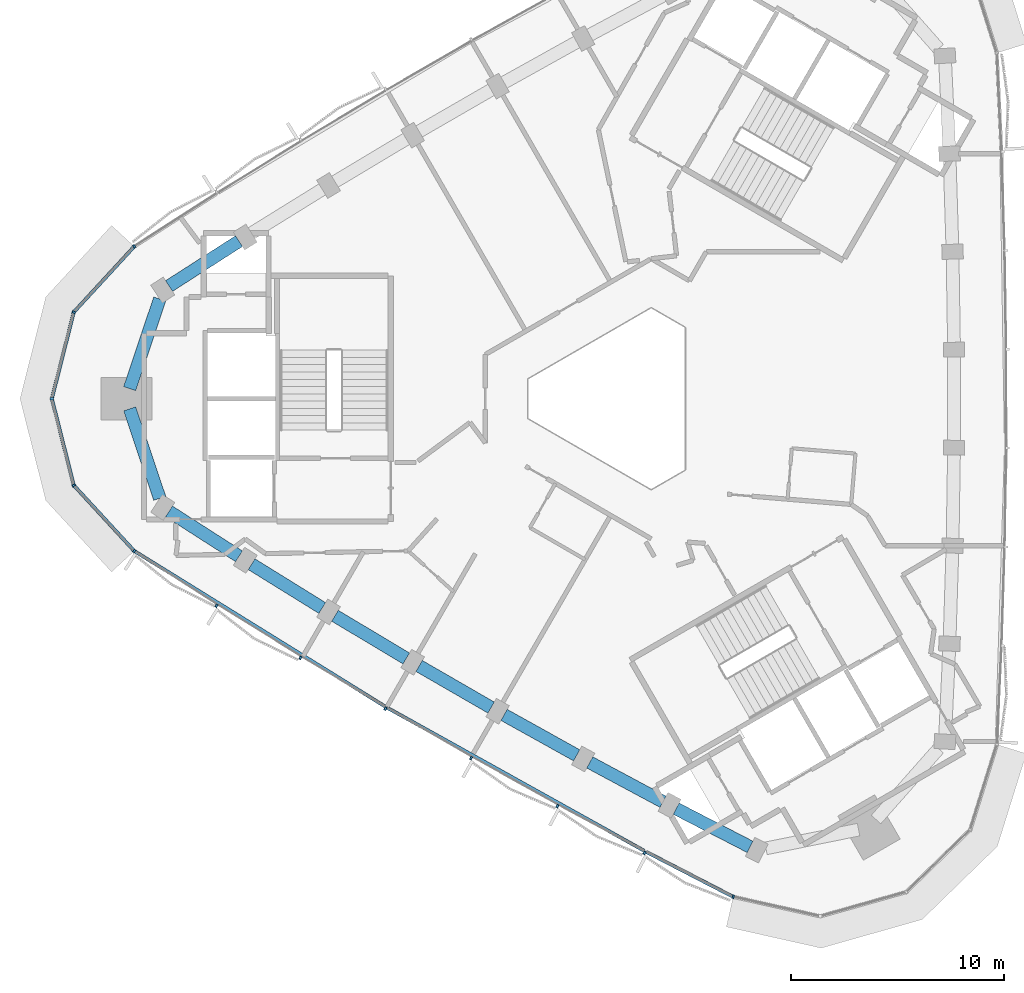
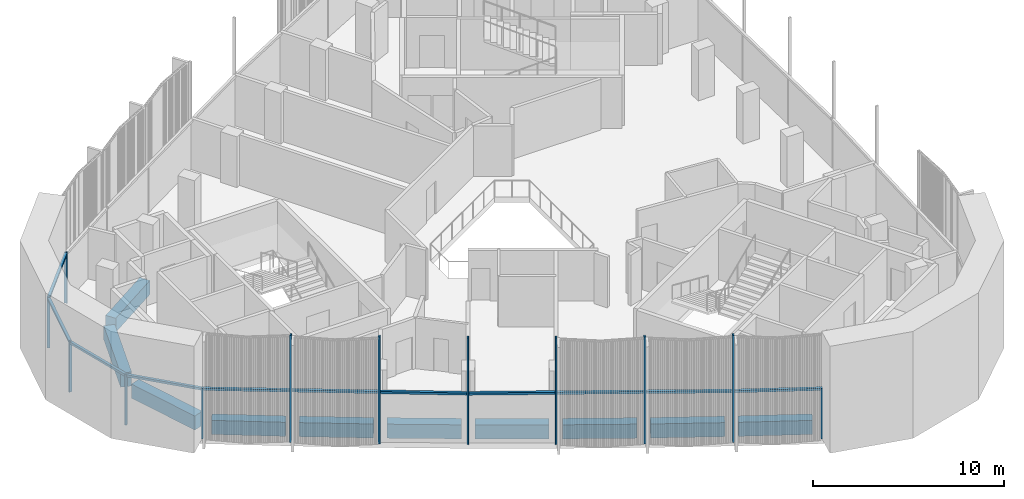
# One storey, part 2 of 12: 19 members, 10 beams, 2 elements without a shape of their own.
"""IFC4 building model written with IfcOpenShell, lengths in metres."""

from ifc_helpers import new_model, si_unit, direction, frame, origin, origin_2d, place, context, subcontext, project, spatial, rectangle, extrude, material, material_profile, profile_set, type_object, element, aggregate, save


model = new_model("IFC4")

# Units and contexts
model_context = context("Model", 3, precision=1e-05, world=origin(), true_north=direction((0.0, 1.0)))
body_context = subcontext(model_context, "Body", "Model", "MODEL_VIEW")
ifc_project = project(units=[si_unit("LENGTHUNIT", "METRE"), si_unit("AREAUNIT", "SQUARE_METRE"), si_unit("VOLUMEUNIT", "CUBIC_METRE"), si_unit("PLANEANGLEUNIT", "RADIAN"), si_unit("MASSUNIT", "GRAM", prefix="KILO")], contexts=[model_context])

# Site, building, storey
site_placement = place(None, origin())
site = spatial("IfcSite", under=ifc_project, at=site_placement, CompositionType="ELEMENT")
building_placement = place(site_placement, origin())
building = spatial("IfcBuilding", under=site, at=building_placement, Name="Tamra Quay Hotel Tower", CompositionType="ELEMENT")
storey_placement = place(building_placement, frame((0.0, 0.0, 273.0)))
storey = spatial("IfcBuildingStorey", under=building, at=storey_placement, Name="L69", CompositionType="ELEMENT", Elevation=273.0)

# Curtain wall, members
ifc_material_1 = material(Name="Aluminium 6063 anodised dark grey", Category="aluminium")
curtain_wall_type_1 = type_object("IfcCurtainWallType", Name="CW2 CURTAIN WALL", PredefinedType="NOTDEFINED", material=ifc_material_1)
curtain_wall_1_placement = place(storey_placement, origin())
curtain_wall_1 = element("IfcCurtainWall", 1, at=curtain_wall_1_placement, inside=storey, type_object=curtain_wall_type_1, Name="CW2 north-west face L69", PredefinedType="NOTDEFINED")
ifc_material_profile_1 = material_profile(ifc_material_1, rectangle(XDim=0.159912109375, YDim=0.10009765625, at=origin_2d()), Name="MULLION 100X160")
ifc_profile_set_1 = profile_set([ifc_material_profile_1], Name="Aluminium 6063 anodised dark grey")
member_type_1 = type_object("IfcMemberType", Name="MULLION CW2 Z6", PredefinedType="MULLION", material=ifc_profile_set_1)
member_1_placement = place(storey_placement, frame((-22.898681640625, 7.15869140625, 0.0), z_axis=(0.0, 0.0, 1.0), x_axis=(-0.6430864584, 0.765793579904, 0.0)))
member_1 = element("IfcMember", 2, at=member_1_placement, type_object=member_type_1, Name="CW2 mullion L69.NW.8", PredefinedType="MULLION", context=body_context, shape_type="SweptSolid", body=[
    extrude(rectangle(XDim=0.159912109375, YDim=0.10009765625, at=origin_2d()), origin(), (0.0, 0.0, 1.0), 3.25),
])
member_2_placement = place(storey_placement, frame((-25.742431640625, 4.070068359375, 0.0), z_axis=(0.0, 0.0, 1.0), x_axis=(-0.879433050093, 0.476022594427, 0.0)))
member_2 = element("IfcMember", 3, at=member_2_placement, type_object=member_type_1, Name="CW2 mullion L69.NW.9", PredefinedType="MULLION", context=body_context, shape_type="SweptSolid", body=[
    extrude(rectangle(XDim=0.159912109375, YDim=0.10009765625, at=origin_2d()), origin(), (0.0, 0.0, 1.0), 3.25),
])
member_3_placement = place(storey_placement, frame((-26.7734375, 0.0, 0.0), z_axis=(0.0, 0.0, 1.0), x_axis=(-1.0, 0.0, 0.0)))
member_3 = element("IfcMember", 4, at=member_3_placement, type_object=member_type_1, Name="CW2 mullion L69.NW.10", PredefinedType="MULLION", context=body_context, shape_type="SweptSolid", body=[
    extrude(rectangle(XDim=0.159912109375, YDim=0.10009765625, at=origin_2d()), origin(), (0.0, 0.0, 1.0), 3.25),
])
member_4_placement = place(storey_placement, frame((-25.742431640625, -4.070068359375, 0.0), z_axis=(0.0, 0.0, 1.0), x_axis=(-0.879433050093, -0.476022594427, 0.0)))
member_4 = element("IfcMember", 5, at=member_4_placement, type_object=member_type_1, Name="CW2 mullion L69.NW.11", PredefinedType="MULLION", context=body_context, shape_type="SweptSolid", body=[
    extrude(rectangle(XDim=0.159912109375, YDim=0.10009765625, at=origin_2d()), origin(), (0.0, 0.0, 1.0), 3.25),
])

curtain_wall_type_2 = type_object("IfcCurtainWallType", Name="CW3 CURTAIN WALL", PredefinedType="NOTDEFINED", material=ifc_material_1)
curtain_wall_2_placement = place(storey_placement, origin())
curtain_wall_2 = element("IfcCurtainWall", 6, at=curtain_wall_2_placement, inside=storey, type_object=curtain_wall_type_2, Name="CW3 south-west face L69", PredefinedType="NOTDEFINED")
ifc_material_profile_2 = material_profile(ifc_material_1, rectangle(XDim=0.159912109375, YDim=0.10009765625, at=origin_2d()), Name="MULLION 100X160")
ifc_profile_set_2 = profile_set([ifc_material_profile_2], Name="Aluminium 6063 anodised dark grey")
member_type_2 = type_object("IfcMemberType", Name="MULLION CW3 Z6", PredefinedType="MULLION", material=ifc_profile_set_2)
member_5_placement = place(storey_placement, frame((-22.898681640625, -7.15869140625, 0.0), z_axis=(0.0, 0.0, 1.0), x_axis=(-0.6430864584, -0.765793579904, 0.0)))
member_5 = element("IfcMember", 7, at=member_5_placement, type_object=member_type_2, Name="CW3 mullion L69.SW.1", PredefinedType="MULLION", context=body_context, shape_type="SweptSolid", body=[
    extrude(rectangle(XDim=0.159912109375, YDim=0.10009765625, at=origin_2d()), origin(), (0.0, 0.0, 1.0), 3.25),
])
member_6_placement = place(storey_placement, frame((-19.0302734375, -9.7353515625, 0.0), z_axis=(0.0, 0.0, 1.0), x_axis=(-0.533422257402, -0.845849097244, 0.0)))
member_6 = element("IfcMember", 8, at=member_6_placement, type_object=member_type_2, Name="CW3 mullion L69.SW.2", PredefinedType="MULLION", context=body_context, shape_type="SweptSolid", body=[
    extrude(rectangle(XDim=0.159912109375, YDim=0.10009765625, at=origin_2d()), origin(), (0.0, 0.0, 1.0), 6.85009765625),
])
member_7_placement = place(storey_placement, frame((-15.08203125, -12.1826171875, 0.0), z_axis=(0.0, 0.0, 1.0), x_axis=(-0.520160594546, -0.854068472596, 0.0)))
member_7 = element("IfcMember", 9, at=member_7_placement, type_object=member_type_2, Name="CW3 mullion L69.SW.3", PredefinedType="MULLION", context=body_context, shape_type="SweptSolid", body=[
    extrude(rectangle(XDim=0.159912109375, YDim=0.10009765625, at=origin_2d()), origin(), (0.0, 0.0, 1.0), 6.85009765625),
])
member_8_placement = place(storey_placement, frame((-11.09423828125, -14.56884765625, 0.0), z_axis=(0.0, 0.0, 1.0), x_axis=(-0.506754183405, -0.862090597096, 0.0)))
member_8 = element("IfcMember", 10, at=member_8_placement, type_object=member_type_2, Name="CW3 mullion L69.SW.4", PredefinedType="MULLION", context=body_context, shape_type="SweptSolid", body=[
    extrude(rectangle(XDim=0.159912109375, YDim=0.10009765625, at=origin_2d()), origin(), (0.0, 0.0, 1.0), 6.85009765625),
])
member_9_placement = place(storey_placement, frame((-7.06982421875, -16.892333984375, 0.0), z_axis=(0.0, 0.0, 1.0), x_axis=(-0.493215265746, -0.869907294851, 0.0)))
member_9 = element("IfcMember", 11, at=member_9_placement, type_object=member_type_2, Name="CW3 mullion L69.SW.5", PredefinedType="MULLION", context=body_context, shape_type="SweptSolid", body=[
    extrude(rectangle(XDim=0.159912109375, YDim=0.10009765625, at=origin_2d()), origin(), (0.0, 0.0, 1.0), 6.85009765625),
])
member_10_placement = place(storey_placement, frame((-3.009521484375, -19.152587890625, 0.0), z_axis=(0.0, 0.0, 1.0), x_axis=(-0.479564696566, -0.877506525222, 0.0)))
member_10 = element("IfcMember", 12, at=member_10_placement, type_object=member_type_2, Name="CW3 mullion L69.SW.6", PredefinedType="MULLION", context=body_context, shape_type="SweptSolid", body=[
    extrude(rectangle(XDim=0.159912109375, YDim=0.10009765625, at=origin_2d()), origin(), (0.0, 0.0, 1.0), 6.85009765625),
])
member_11_placement = place(storey_placement, frame((1.083984375, -21.348388671875, 0.0), z_axis=(0.0, 0.0, 1.0), x_axis=(-0.46581567728, -0.884881774476, 0.0)))
member_11 = element("IfcMember", 13, at=member_11_placement, type_object=member_type_2, Name="CW3 mullion L69.SW.7", PredefinedType="MULLION", context=body_context, shape_type="SweptSolid", body=[
    extrude(rectangle(XDim=0.159912109375, YDim=0.10009765625, at=origin_2d()), origin(), (0.0, 0.0, 1.0), 6.85009765625),
])
member_12_placement = place(storey_placement, frame((5.249755859375, -23.409912109375, 0.0), z_axis=(0.0, 0.0, 1.0), x_axis=(-0.341653465052, -0.939825999756, 0.0)))
member_12 = element("IfcMember", 14, at=member_12_placement, type_object=member_type_2, Name="CW3 mullion L69.SW.8", PredefinedType="MULLION", context=body_context, shape_type="SweptSolid", body=[
    extrude(rectangle(XDim=0.159912109375, YDim=0.10009765625, at=origin_2d()), origin(), (0.0, 0.0, 1.0), 3.25),
])

# Beams
ifc_material_2 = material(Name="Concrete M60", Category="concrete")
ifc_material_profile_3 = material_profile(ifc_material_2, rectangle(XDim=0.60009765625, YDim=0.89990234375, at=origin_2d()), Name="SPANDREL BEAM RC 600x900")
ifc_profile_set_3 = profile_set([ifc_material_profile_3], Name="Concrete M60")
beam_type = type_object("IfcBeamType", Name="SPANDREL BEAM RC 600x900", PredefinedType="SPANDREL", material=ifc_profile_set_3)
beam_1_placement = place(storey_placement, frame((-17.97607421875, 7.406005859375, -0.800048828125), z_axis=(-0.841679613882, -0.539977247276, 0.0), x_axis=(0.539977247276, -0.841679613882, 0.0)))
element("IfcBeam", 15, at=beam_1_placement, inside=storey, type_object=beam_type, Name="BM-SP6-015-L69", PredefinedType="SPANDREL", context=body_context, shape_type="SweptSolid", body=[
    extrude(rectangle(XDim=0.60009765625, YDim=0.89990234375, at=origin_2d()), origin(), (0.0, 0.0, 1.0), 3.906982421875),
])
for number, where, z_axis, x_axis, name in (
    (16, (-21.70068359375, 4.6845703125, -0.800048828125), (-0.318271531925, -0.947999594919, 0.0), (0.947999594919, -0.318271531925, 0.0), "BM-SP6-016-L69"),
    (17, (-23.114501953125, -0.473388671875, -0.800048828125), (0.318271531925, -0.947999594919, 0.0), (0.947999594919, 0.318271531925, 0.0), "BM-SP6-017-L69"),
):
    element("IfcBeam", number, at=place(storey_placement, frame(where, z_axis=z_axis, x_axis=x_axis)), inside=storey, type_object=beam_type, Name=name, PredefinedType="SPANDREL", context=body_context, shape_type="SweptSolid", body=[
        extrude(rectangle(XDim=0.60009765625, YDim=0.89990234375, at=origin_2d()), origin(), (0.0, 0.0, 1.0), 4.442138671875),
    ])
beam_2_placement = place(storey_placement, frame((-21.264404296875, -5.29638671875, -0.800048828125), z_axis=(0.841679613882, -0.539977247276, 0.0), x_axis=(0.539977247276, 0.841679613882, 0.0)))
element("IfcBeam", 18, at=beam_2_placement, inside=storey, type_object=beam_type, Name="BM-SP6-018-L69", PredefinedType="SPANDREL", context=body_context, shape_type="SweptSolid", body=[
    extrude(rectangle(XDim=0.60009765625, YDim=0.89990234375, at=origin_2d()), origin(), (0.0, 0.0, 1.0), 3.906982421875),
])
beam_3_placement = place(storey_placement, frame((-17.384033203125, -7.779296875, -0.800048828125), z_axis=(0.849972078006, -0.526827739029, 0.0), x_axis=(0.526827739029, 0.849972078006, 0.0)))
element("IfcBeam", 19, at=beam_3_placement, inside=storey, type_object=beam_type, Name="BM-SP6-019-L69", PredefinedType="SPANDREL", context=body_context, shape_type="SweptSolid", body=[
    extrude(rectangle(XDim=0.60009765625, YDim=0.89990234375, at=origin_2d()), origin(), (0.0, 0.0, 1.0), 3.907470703125),
])
beam_4_placement = place(storey_placement, frame((-13.465087890625, -10.201904296875, -0.800048828125), z_axis=(0.858120821909, -0.513447811376, 0.0), x_axis=(0.513447811376, 0.858120821909, 0.0)))
element("IfcBeam", 20, at=beam_4_placement, inside=storey, type_object=beam_type, Name="BM-SP6-020-L69", PredefinedType="SPANDREL", context=body_context, shape_type="SweptSolid", body=[
    extrude(rectangle(XDim=0.60009765625, YDim=0.89990234375, at=origin_2d()), origin(), (0.0, 0.0, 1.0), 3.9072265625),
])
for number, where, z_axis, x_axis, name in (
    (21, (-9.5087890625, -12.562744140625, -0.800048828125), (0.866011803689, -0.500023555316, 0.0), (0.500023555316, 0.866011803689, 0.0), "BM-SP6-021-L69"),
    (22, (-5.516357421875, -14.861572265625, -0.800048828125), (0.873726581477, -0.486417373066, 0.0), (0.486417373066, 0.873726581477, 0.0), "BM-SP6-022-L69"),
):
    element("IfcBeam", number, at=place(storey_placement, frame(where, z_axis=z_axis, x_axis=x_axis)), inside=storey, type_object=beam_type, Name=name, PredefinedType="SPANDREL", context=body_context, shape_type="SweptSolid", body=[
        extrude(rectangle(XDim=0.60009765625, YDim=0.89990234375, at=origin_2d()), origin(), (0.0, 0.0, 1.0), 3.906982421875),
    ])
beam_5_placement = place(storey_placement, frame((-1.488525390625, -17.09765625, -0.800048828125), z_axis=(0.88123835064, -0.472672158437, 0.0), x_axis=(0.472672158437, 0.88123835064, 0.0)))
element("IfcBeam", 23, at=beam_5_placement, inside=storey, type_object=beam_type, Name="BM-SP6-023-L69", PredefinedType="SPANDREL", context=body_context, shape_type="SweptSolid", body=[
    extrude(rectangle(XDim=0.60009765625, YDim=0.89990234375, at=origin_2d()), origin(), (0.0, 0.0, 1.0), 3.907470703125),
])
beam_6_placement = place(storey_placement, frame((2.57421875, -19.270751953125, -0.800048828125), z_axis=(0.888476019227, -0.458923047208, 0.0), x_axis=(0.458923047208, 0.888476019227, 0.0)))
element("IfcBeam", 24, at=beam_6_placement, inside=storey, type_object=beam_type, Name="BM-SP6-024-L69", PredefinedType="SPANDREL", context=body_context, shape_type="SweptSolid", body=[
    extrude(rectangle(XDim=0.60009765625, YDim=0.89990234375, at=origin_2d()), origin(), (0.0, 0.0, 1.0), 3.906982421875),
])

# Member
ifc_material_profile_4 = material_profile(ifc_material_1, rectangle(XDim=0.159912109375, YDim=0.139892578125, at=origin_2d()), Name="TRANSOM 160X140")
ifc_profile_set_4 = profile_set([ifc_material_profile_4], Name="Aluminium 6063 anodised dark grey")
member_type_3 = type_object("IfcMemberType", Name="TRANSOM CW2 Z6", PredefinedType="USERDEFINED", material=ifc_profile_set_4)
member_13_placement = place(storey_placement, frame((-22.932373046875, 7.121826171875, 3.179931640625), z_axis=(-0.67737906931, -0.735634145795, 0.0), x_axis=(0.735634145795, -0.67737906931, 0.0)))
member_13 = element("IfcMember", 25, at=member_13_placement, type_object=member_type_3, Name="CW2 transom L69.NW.8", ObjectType="TRANSOM", PredefinedType="USERDEFINED", context=body_context, shape_type="SweptSolid", body=[
    extrude(rectangle(XDim=0.159912109375, YDim=0.139892578125, at=origin_2d()), origin(), (0.0, 0.0, 1.0), 4.0986328125),
])

member_14_placement = place(storey_placement, frame((-25.7548828125, 4.021484375, 3.179931640625), z_axis=(-0.245492022127, -0.969398611033, 0.0), x_axis=(0.969398611033, -0.245492022127, 0.0)))
member_14 = element("IfcMember", 26, at=member_14_placement, type_object=member_type_3, Name="CW2 transom L69.NW.9", ObjectType="TRANSOM", PredefinedType="USERDEFINED", context=body_context, shape_type="SweptSolid", body=[
    extrude(rectangle(XDim=0.159912109375, YDim=0.139892578125, at=origin_2d()), origin(), (0.0, 0.0, 1.0), 4.098388671875),
])

member_15_placement = place(storey_placement, frame((-26.760986328125, -0.048583984375, 3.179931640625), z_axis=(0.245492022127, -0.969398611033, 0.0), x_axis=(0.969398611033, 0.245492022127, 0.0)))
member_15 = element("IfcMember", 27, at=member_15_placement, type_object=member_type_3, Name="CW2 transom L69.NW.10", ObjectType="TRANSOM", PredefinedType="USERDEFINED", context=body_context, shape_type="SweptSolid", body=[
    extrude(rectangle(XDim=0.159912109375, YDim=0.139892578125, at=origin_2d()), origin(), (0.0, 0.0, 1.0), 4.098388671875),
])

member_16_placement = place(storey_placement, frame((-25.708740234375, -4.106689453125, 3.179931640625), z_axis=(0.67737906931, -0.735634145795, 0.0), x_axis=(0.735634145795, 0.67737906931, 0.0)))
member_16 = element("IfcMember", 28, at=member_16_placement, type_object=member_type_3, Name="CW2 transom L69.NW.11", ObjectType="TRANSOM", PredefinedType="USERDEFINED", context=body_context, shape_type="SweptSolid", body=[
    extrude(rectangle(XDim=0.159912109375, YDim=0.139892578125, at=origin_2d()), origin(), (0.0, 0.0, 1.0), 4.0986328125),
])

aggregate(curtain_wall_1, [member_1, member_13, member_2, member_14, member_3, member_15, member_4, member_16])

ifc_material_profile_5 = material_profile(ifc_material_1, rectangle(XDim=0.159912109375, YDim=0.139892578125, at=origin_2d()), Name="TRANSOM 160X140")
ifc_profile_set_5 = profile_set([ifc_material_profile_5], Name="Aluminium 6063 anodised dark grey")
member_type_4 = type_object("IfcMemberType", Name="TRANSOM CW3 Z6", PredefinedType="USERDEFINED", material=ifc_profile_set_5)
member_17_placement = place(storey_placement, frame((-22.8564453125, -7.185546875, 3.179931640625), z_axis=(0.849982974427, -0.526810158581, 0.0), x_axis=(0.526810158581, 0.849982974427, 0.0)))
member_17 = element("IfcMember", 29, at=member_17_placement, type_object=member_type_4, Name="CW3 transom L69.SW.1", ObjectType="TRANSOM", PredefinedType="USERDEFINED", context=body_context, shape_type="SweptSolid", body=[
    extrude(rectangle(XDim=0.159912109375, YDim=0.139892578125, at=origin_2d()), origin(), (0.0, 0.0, 1.0), 13.835205078125),
])

member_18_placement = place(storey_placement, frame((-11.010498046875, -14.52490234375, 3.179931640625), z_axis=(0.873734917996, -0.486402398302, 0.0), x_axis=(0.486402398302, 0.873734917996, 0.0)))
member_18 = element("IfcMember", 30, at=member_18_placement, type_object=member_type_4, Name="CW3 transom L69.SW.4", ObjectType="TRANSOM", PredefinedType="USERDEFINED", context=body_context, shape_type="SweptSolid", body=[
    extrude(rectangle(XDim=0.159912109375, YDim=0.139892578125, at=origin_2d()), origin(), (0.0, 0.0, 1.0), 13.834716796875),
])

member_19_placement = place(storey_placement, frame((1.165771484375, -21.300537109375, 3.179931640625), z_axis=(0.888486484454, -0.458902785939, 0.0), x_axis=(0.458902785939, 0.888486484454, 0.0)))
member_19 = element("IfcMember", 31, at=member_19_placement, type_object=member_type_4, Name="CW3 transom L69.SW.7", ObjectType="TRANSOM", PredefinedType="USERDEFINED", context=body_context, shape_type="SweptSolid", body=[
    extrude(rectangle(XDim=0.159912109375, YDim=0.139892578125, at=origin_2d()), origin(), (0.0, 0.0, 1.0), 4.546630859375),
])

aggregate(curtain_wall_2, [member_5, member_17, member_6, member_7, member_8, member_18, member_9, member_10, member_11, member_19, member_12])

save(model, "model.ifc")
